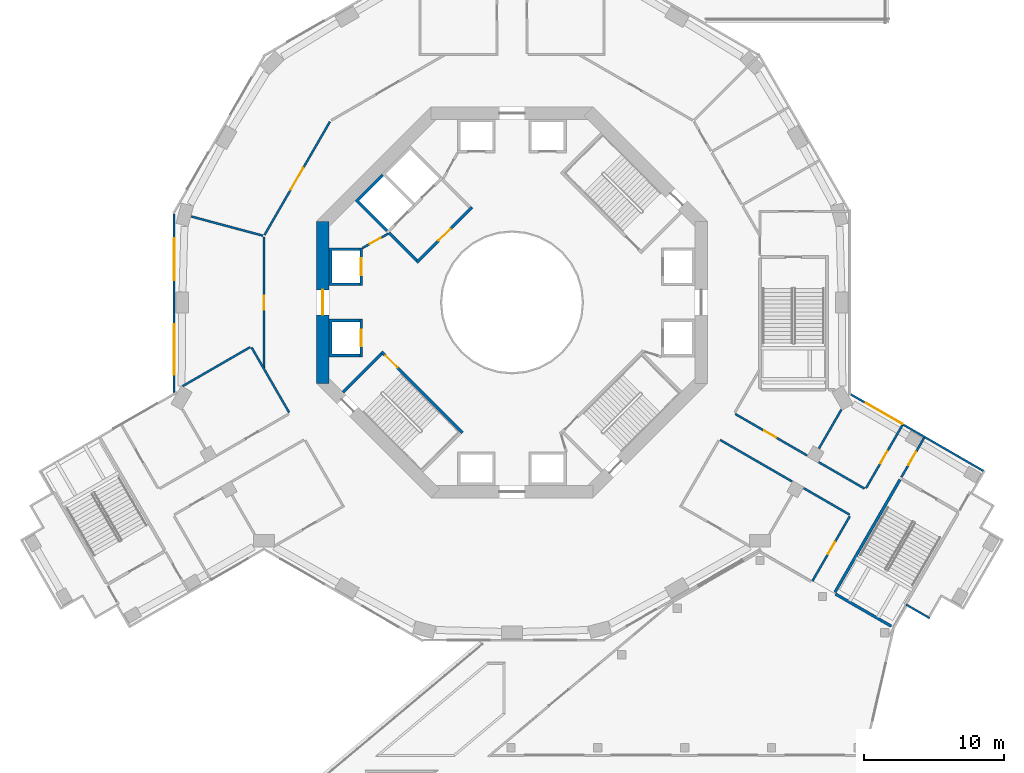
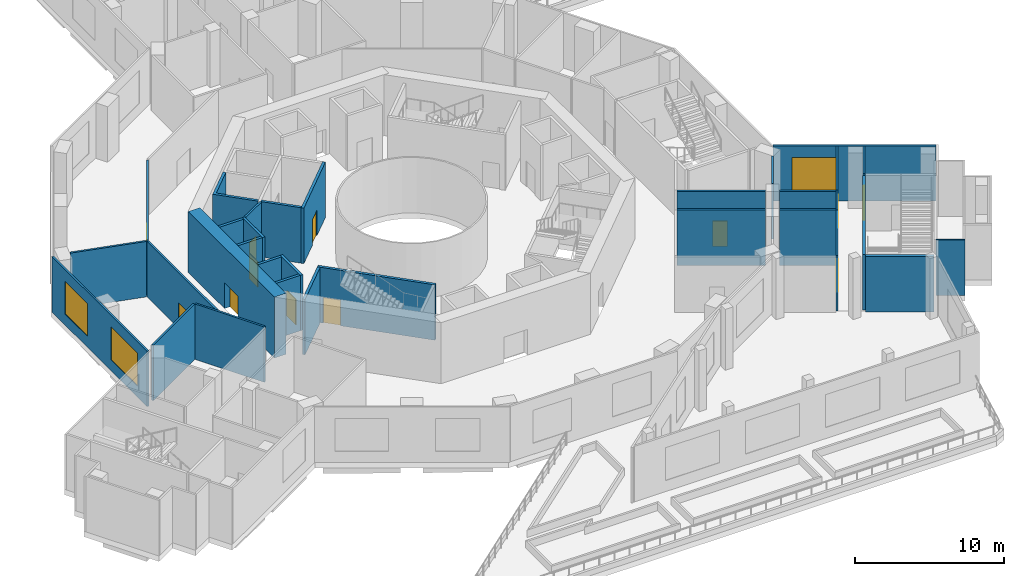
# One storey, part 5 of 24: 29 walls, 12 doors, 3 windows, 15 openings.
"""IFC4 building model written with IfcOpenShell, lengths in metres."""

from ifc_helpers import new_model, si_unit, direction, frame, frame_2d, origin, place, context, subcontext, project, spatial, polyline, rectangle, outline, extrude, material, layer, layer_set, type_object, element, fill, save


model = new_model("IFC4")

# Units and contexts
model_context = context("Model", 3, precision=1e-05, world=origin(), true_north=direction((0.0, 1.0)))
body_context = subcontext(model_context, "Body", "Model", "MODEL_VIEW")
ifc_project = project(units=[si_unit("LENGTHUNIT", "METRE"), si_unit("AREAUNIT", "SQUARE_METRE"), si_unit("VOLUMEUNIT", "CUBIC_METRE"), si_unit("PLANEANGLEUNIT", "RADIAN"), si_unit("MASSUNIT", "GRAM", prefix="KILO")], contexts=[model_context])

# Site, building, storey
site_placement = place(None, origin())
site = spatial("IfcSite", under=ifc_project, at=site_placement, CompositionType="ELEMENT")
building_placement = place(site_placement, origin())
building = spatial("IfcBuilding", under=site, at=building_placement, Name="Verdalira Terraces Hotel", CompositionType="ELEMENT")
storey_placement = place(building_placement, frame((0.0, 0.0, 14.0)))
storey = spatial("IfcBuildingStorey", under=building, at=storey_placement, Name="L02", CompositionType="ELEMENT", Elevation=14.0)

# Wall
ifc_material_1 = material(Name="Concrete C50", Category="concrete")
ifc_layer_1 = layer(ifc_material_1, 0.199951171875)
ifc_layer_set_1 = layer_set([ifc_layer_1], Name="Core RC wall 200 C50")
wall_type_1 = type_object("IfcWallType", Name="Core RC wall 200 C50", PredefinedType="SOLIDWALL", material=ifc_layer_set_1)
wall_1_placement = place(storey_placement, origin())
element("IfcWall", 1, at=wall_1_placement, inside=storey, type_object=wall_type_1, Name="L02 shaft wall W1", PredefinedType="SOLIDWALL", context=body_context, shape_type="SweptSolid", body=[
    extrude(outline(polyline([(-13.100098, 3.899902), (-10.899902, 3.899902), (-10.899902, 3.699951), (-12.899902, 3.699951), (-12.899902, 1.399902), (-10.899902, 1.399902), (-10.899902, 1.199951), (-13.100098, 1.199951), (-13.100098, 3.899902)])), origin(), (0.0, 0.0, 1.0), 4.550049),
])

# Wall, opening, door
wall_2_placement = place(storey_placement, frame((-10.800049, 1.199951, 0.0), z_axis=(0.0, 0.0, 1.0), x_axis=(0.0, 1.0, 0.0)))
wall_2 = element("IfcWall", 2, at=wall_2_placement, inside=storey, type_object=wall_type_1, Name="L02 shaft front wall W1", PredefinedType="SOLIDWALL", context=body_context, shape_type="SweptSolid", body=[
    extrude(rectangle(XDim=2.699951, YDim=0.199951, at=frame_2d((1.350098, 0.0))), origin(), (0.0, 0.0, 1.0), 4.550049),
])
opening_1_placement = place(wall_2_placement, frame((0.75, 0.0, 0.0)))
opening_1 = element("IfcOpeningElement", 3, at=opening_1_placement, cuts=wall_2, Name="Opening LD-L02-805", PredefinedType="OPENING", context=body_context, shape_type="SweptSolid", body=[
    extrude(rectangle(XDim=1.199951, YDim=2.100098, at=frame_2d((0.600098, 1.050049))), frame((0.0, 0.109863, 0.0), z_axis=(0.0, -1.0, 0.0), x_axis=(1.0, 0.0, 0.0)), (0.0, 0.0, 1.0), 0.219971),
])
ifc_material_2 = material(Name="Stainless steel", Category="steel")
door_type_1 = type_object("IfcDoorType", Name="Landing door 1200 x 2100", OperationType="NOTDEFINED", PredefinedType="DOOR", material=ifc_material_2)
door_1_placement = place(opening_1_placement, origin())
door_1 = element("IfcDoor", 4, at=door_1_placement, inside=storey, type_object=door_type_1, Name="Lift landing door LR5 L02", OperationType="DOUBLE_DOOR_SLIDING", OverallHeight=2.10009765625, OverallWidth=1.199951171875, PredefinedType="DOOR", context=body_context, shape_type="SweptSolid", body=[
    extrude(rectangle(XDim=1.199951, YDim=2.100098, at=frame_2d((0.600098, 1.050049))), frame((0.0, 0.024902, 0.0), z_axis=(0.0, -1.0, 0.0), x_axis=(1.0, 0.0, 0.0)), (0.0, 0.0, 1.0), 0.050049),
])
fill(opening_1, door_1)

# Wall
wall_3_placement = place(storey_placement, origin())
element("IfcWall", 5, at=wall_3_placement, inside=storey, type_object=wall_type_1, Name="L02 shaft wall W2", PredefinedType="SOLIDWALL", context=body_context, shape_type="SweptSolid", body=[
    extrude(outline(polyline([(-13.100098, -3.899902), (-13.100098, -1.199951), (-10.899902, -1.199951), (-10.899902, -1.399902), (-12.899902, -1.399902), (-12.899902, -3.699951), (-10.899902, -3.699951), (-10.899902, -3.899902), (-13.100098, -3.899902)])), origin(), (0.0, 0.0, 1.0), 4.550049),
])

# Wall, opening, door
wall_4_placement = place(storey_placement, frame((-10.800049, -1.199951, 0.0), z_axis=(0.0, 0.0, 1.0), x_axis=(0.0, -1.0, 0.0)))
wall_4 = element("IfcWall", 6, at=wall_4_placement, inside=storey, type_object=wall_type_1, Name="L02 shaft front wall W2", PredefinedType="SOLIDWALL", context=body_context, shape_type="SweptSolid", body=[
    extrude(rectangle(XDim=2.699951, YDim=0.199951, at=frame_2d((1.350098, 0.0))), origin(), (0.0, 0.0, 1.0), 4.550049),
])
opening_2_placement = place(wall_4_placement, frame((0.75, 0.0, 0.0)))
opening_2 = element("IfcOpeningElement", 7, at=opening_2_placement, cuts=wall_4, Name="Opening LD-L02-806", PredefinedType="OPENING", context=body_context, shape_type="SweptSolid", body=[
    extrude(rectangle(XDim=1.199951, YDim=2.100098, at=frame_2d((0.600098, 1.050049))), frame((0.0, 0.109863, 0.0), z_axis=(0.0, -1.0, 0.0), x_axis=(1.0, 0.0, 0.0)), (0.0, 0.0, 1.0), 0.219971),
])
door_2_placement = place(opening_2_placement, origin())
door_2 = element("IfcDoor", 8, at=door_2_placement, inside=storey, type_object=door_type_1, Name="Lift landing door LR6 L02", OperationType="DOUBLE_DOOR_SLIDING", OverallHeight=2.10009765625, OverallWidth=1.199951171875, PredefinedType="DOOR", context=body_context, shape_type="SweptSolid", body=[
    extrude(rectangle(XDim=1.199951, YDim=2.100098, at=frame_2d((0.600098, 1.050049))), frame((0.0, 0.024902, 0.0), z_axis=(0.0, -1.0, 0.0), x_axis=(1.0, 0.0, 0.0)), (0.0, 0.0, 1.0), 0.050049),
])
fill(opening_2, door_2)

# Wall
wall_5_placement = place(storey_placement, origin())
element("IfcWall", 9, at=wall_5_placement, inside=storey, type_object=wall_type_1, Name="L02 shaft wall F2", PredefinedType="SOLIDWALL", context=body_context, shape_type="SweptSolid", body=[
    extrude(outline(polyline([(-11.24292, 7.283203), (-9.33374, 9.192383), (-9.192383, 9.051025), (-10.960205, 7.283203), (-8.874268, 5.197266), (-9.015625, 5.055908), (-11.24292, 7.283203)])), origin(), (0.0, 0.0, 1.0), 4.550049),
])

# Wall, opening, door
wall_6_placement = place(storey_placement, frame((-3.5354, -9.33374, 0.0), z_axis=(0.0, 0.0, 1.0), x_axis=(-0.707106781, 0.707106781, 0.0)))
wall_6 = element("IfcWall", 10, at=wall_6_placement, inside=storey, type_object=wall_type_1, Name="L02 stair ST2 front wall", PredefinedType="SOLIDWALL", context=body_context, shape_type="SweptSolid", body=[
    extrude(rectangle(XDim=8.200195, YDim=0.199951, at=frame_2d((4.100098, 0.0))), origin(), (0.0, 0.0, 1.0), 4.550049),
])
opening_3_placement = place(wall_6_placement, frame((6.600098, 0.0, 0.0)))
opening_3 = element("IfcOpeningElement", 11, at=opening_3_placement, cuts=wall_6, Name="Opening L02-810", PredefinedType="OPENING", context=body_context, shape_type="SweptSolid", body=[
    extrude(rectangle(XDim=1.199951, YDim=2.100098, at=frame_2d((0.600098, 1.050049))), frame((0.0, 0.109863, 0.0), z_axis=(0.0, -1.0, 0.0), x_axis=(1.0, 0.0, 0.0)), (0.0, 0.0, 1.0), 0.219971),
])
ifc_material_3 = material(Name="Steel fire door", Category="steel")
door_type_2 = type_object("IfcDoorType", Name="Stair door 1200 x 2100", OperationType="NOTDEFINED", PredefinedType="DOOR", material=ifc_material_3)
door_3_placement = place(opening_3_placement, origin())
door_3 = element("IfcDoor", 12, at=door_3_placement, inside=storey, type_object=door_type_2, Name="Stair door ST2 L02", OperationType="SINGLE_SWING_RIGHT", OverallHeight=2.10009765625, OverallWidth=1.199951171875, PredefinedType="DOOR", context=body_context, shape_type="SweptSolid", body=[
    extrude(rectangle(XDim=1.199951, YDim=2.100098, at=frame_2d((0.600098, 1.050049))), frame((0.0, 0.024902, 0.0), z_axis=(0.0, -1.0, 0.0), x_axis=(1.0, 0.0, 0.0)), (0.0, 0.0, 1.0), 0.050049),
])
fill(opening_3, door_3)

# Wall
wall_7_placement = place(storey_placement, frame((-9.33374, -3.677002, 0.0), z_axis=(0.0, 0.0, 1.0), x_axis=(-0.707106781, -0.707106781, 0.0)))
element("IfcWall", 13, at=wall_7_placement, inside=storey, type_object=wall_type_1, Name="L02 stair ST2 end wall 1", PredefinedType="SOLIDWALL", context=body_context, shape_type="SweptSolid", body=[
    extrude(rectangle(XDim=3.900146, YDim=0.199951, at=frame_2d((1.950195, 0.0))), origin(), (0.0, 0.0, 1.0), 4.550049),
])

# Wall, opening, door
wall_8_placement = place(storey_placement, frame((-2.86377, 6.823486, 0.0), z_axis=(0.0, 0.0, 1.0), x_axis=(-0.707106781, -0.707106781, 0.0)))
wall_8 = element("IfcWall", 14, at=wall_8_placement, inside=storey, type_object=wall_type_1, Name="L02 fire lobby wall", PredefinedType="SOLIDWALL", context=body_context, shape_type="SweptSolid", body=[
    extrude(rectangle(XDim=5.599854, YDim=0.199951, at=frame_2d((2.799805, 0.0))), origin(), (0.0, 0.0, 1.0), 4.550049),
])
opening_4_placement = place(wall_8_placement, frame((2.199951, 0.0, 0.0)))
opening_4 = element("IfcOpeningElement", 15, at=opening_4_placement, cuts=wall_8, Name="Opening L02-819", PredefinedType="OPENING", context=body_context, shape_type="SweptSolid", body=[
    extrude(rectangle(XDim=1.199951, YDim=2.100098, at=frame_2d((0.600098, 1.050049))), frame((0.0, 0.109863, 0.0), z_axis=(0.0, -1.0, 0.0), x_axis=(1.0, 0.0, 0.0)), (0.0, 0.0, 1.0), 0.219971),
])
ifc_material_4 = material(Name="Steel fire door", Category="steel")
door_type_3 = type_object("IfcDoorType", Name="Lobby door 1200 x 2100", OperationType="NOTDEFINED", PredefinedType="DOOR", material=ifc_material_4)
door_4_placement = place(opening_4_placement, origin())
door_4 = element("IfcDoor", 16, at=door_4_placement, inside=storey, type_object=door_type_3, Name="Fire lobby door L02", OperationType="SINGLE_SWING_LEFT", OverallHeight=2.10009765625, OverallWidth=1.199951171875, PredefinedType="DOOR", context=body_context, shape_type="SweptSolid", body=[
    extrude(rectangle(XDim=1.199951, YDim=2.100098, at=frame_2d((0.600098, 1.050049))), frame((0.0, 0.024902, 0.0), z_axis=(0.0, -1.0, 0.0), x_axis=(1.0, 0.0, 0.0)), (0.0, 0.0, 1.0), 0.050049),
])
fill(opening_4, door_4)

# Wall
wall_9_placement = place(storey_placement, frame((-6.823486, 3.005127, 0.0), z_axis=(0.0, 0.0, 1.0), x_axis=(-0.707106781, 0.707106781, 0.0)))
element("IfcWall", 17, at=wall_9_placement, inside=storey, type_object=wall_type_1, Name="L02 fire lobby wall", PredefinedType="SOLIDWALL", context=body_context, shape_type="SweptSolid", body=[
    extrude(rectangle(XDim=2.800049, YDim=0.199951, at=frame_2d((1.399902, 0.0))), origin(), (0.0, 0.0, 1.0), 4.550049),
])

# Wall, opening, door
ifc_material_5 = material(Name="Gypsum board partition")
ifc_layer_2 = layer(ifc_material_5, 0.14990234375)
ifc_layer_set_2 = layer_set([ifc_layer_2], Name="Core partition 150 mm")
wall_type_2 = type_object("IfcWallType", Name="Core partition 150 mm", PredefinedType="PARTITIONING", material=ifc_layer_set_2)
wall_10_placement = place(storey_placement, frame((-8.874268, 4.914307, 0.0), z_axis=(0.0, 0.0, 1.0), x_axis=(-0.874129705, -0.485692555, 0.0)))
wall_10 = element("IfcWall", 18, at=wall_10_placement, inside=storey, type_object=wall_type_2, Name="Room partition L02", PredefinedType="PARTITIONING", context=body_context, shape_type="SweptSolid", body=[
    extrude(rectangle(XDim=2.088623, YDim=0.149902, at=frame_2d((1.044434, 0.0))), origin(), (0.0, 0.0, 1.0), 4.550049),
])
opening_5_placement = place(wall_10_placement, frame((0.594238, 0.0, 0.0)))
opening_5 = element("IfcOpeningElement", 19, at=opening_5_placement, cuts=wall_10, Name="Opening L02-821", PredefinedType="OPENING", context=body_context, shape_type="SweptSolid", body=[
    extrude(rectangle(XDim=0.899902, YDim=2.100098, at=frame_2d((0.449951, 1.050049))), frame((0.0, 0.084961, 0.0), z_axis=(0.0, -1.0, 0.0), x_axis=(1.0, 0.0, 0.0)), (0.0, 0.0, 1.0), 0.169922),
])
ifc_material_6 = material(Name="Steel fire door", Category="steel")
door_type_4 = type_object("IfcDoorType", Name="Core room door 900 x 2100", OperationType="NOTDEFINED", PredefinedType="DOOR", material=ifc_material_6)
door_5_placement = place(opening_5_placement, origin())
door_5 = element("IfcDoor", 20, at=door_5_placement, inside=storey, type_object=door_type_4, Name="Door L02 room3", OperationType="SINGLE_SWING_LEFT", OverallHeight=2.10009765625, OverallWidth=0.89990234375, PredefinedType="DOOR", context=body_context, shape_type="SweptSolid", body=[
    extrude(rectangle(XDim=0.899902, YDim=2.100098, at=frame_2d((0.449951, 1.050049))), frame((0.0, 0.024902, 0.0), z_axis=(0.0, -1.0, 0.0), x_axis=(1.0, 0.0, 0.0)), (0.0, 0.0, 1.0), 0.050049),
])
fill(opening_5, door_5)

ifc_material_7 = material(Name="Concrete C70", Category="concrete")
ifc_layer_3 = layer(ifc_material_7, 0.89990234375)
ifc_layer_set_3 = layer_set([ifc_layer_3], Name="Core wall 900 C70")
wall_type_3 = type_object("IfcWallType", Name="Core wall 900 C70", PredefinedType="SHEAR", material=ifc_layer_set_3)
wall_11_placement = place(storey_placement, frame((-13.550049, 5.799072, 0.0), z_axis=(0.0, 0.0, 1.0), x_axis=(0.0, -1.0, 0.0)))
wall_11 = element("IfcWall", 21, at=wall_11_placement, inside=storey, type_object=wall_type_3, Name="Core wall CW-L02-5", PredefinedType="SHEAR", context=body_context, shape_type="SweptSolid", body=[
    extrude(rectangle(XDim=11.598145, YDim=0.899902, at=frame_2d((5.799072, 0.0))), origin(), (0.0, 0.0, 1.0), 5.0),
])
opening_6_placement = place(wall_11_placement, frame((4.898926, 0.0, 0.0)))
opening_6 = element("IfcOpeningElement", 22, at=opening_6_placement, cuts=wall_11, Name="Opening L02-814", PredefinedType="OPENING", context=body_context, shape_type="SweptSolid", body=[
    extrude(rectangle(XDim=1.800049, YDim=2.100098, at=frame_2d((0.899902, 1.050049))), frame((0.0, 0.459961, 0.0), z_axis=(0.0, -1.0, 0.0), x_axis=(1.0, 0.0, 0.0)), (0.0, 0.0, 1.0), 0.919922),
])
ifc_material_8 = material(Name="Steel fire door", Category="steel")
door_type_5 = type_object("IfcDoorType", Name="Core entry door pair 1800 x 2100", OperationType="NOTDEFINED", PredefinedType="DOOR", material=ifc_material_8)
door_6_placement = place(opening_6_placement, origin())
door_6 = element("IfcDoor", 23, at=door_6_placement, inside=storey, type_object=door_type_5, Name="Core entry door L02 4", OperationType="DOUBLE_DOOR_SINGLE_SWING", OverallHeight=2.10009765625, OverallWidth=1.800048828125, PredefinedType="DOOR", context=body_context, shape_type="SweptSolid", body=[
    extrude(rectangle(XDim=1.800049, YDim=2.100098, at=frame_2d((0.899902, 1.050049))), frame((0.0, 0.024902, 0.0), z_axis=(0.0, -1.0, 0.0), x_axis=(1.0, 0.0, 0.0)), (0.0, 0.0, 1.0), 0.050049),
])
fill(opening_6, door_6)

# Walls
ifc_material_9 = material(Name="Gypsum board partition on steel stud", Category="steel")
ifc_layer_4 = layer(ifc_material_9, 0.14990234375)
ifc_layer_set_4 = layer_set([ifc_layer_4], Name="Fire-rated partition 150 mm")
wall_type_4 = type_object("IfcWallType", Name="Fire-rated partition 150 mm", PredefinedType="PARTITIONING", material=ifc_layer_set_4)
wall_12_placement = place(storey_placement, frame((-22.9646, 6.15332, 0.0), z_axis=(0.0, 0.0, 1.0), x_axis=(0.965919345, -0.258843233, 0.0)))
element("IfcWall", 24, at=wall_12_placement, inside=storey, type_object=wall_type_4, Name="Partition", PredefinedType="PARTITIONING", context=body_context, shape_type="SweptSolid", body=[
    extrude(rectangle(XDim=5.314941, YDim=0.149902, at=frame_2d((2.657471, 0.0))), origin(), (0.0, 0.0, 1.0), 4.550049),
])
wall_13_placement = place(storey_placement, frame((-18.744141, -3.200928, 0.0), z_axis=(0.0, 0.0, 1.0), x_axis=(-0.866027538, -0.499996304, 0.0)))
element("IfcWall", 25, at=wall_13_placement, inside=storey, type_object=wall_type_4, Name="Partition", PredefinedType="PARTITIONING", context=body_context, shape_type="SweptSolid", body=[
    extrude(rectangle(XDim=5.582031, YDim=0.149902, at=frame_2d((2.791016, 0.0))), origin(), (0.0, 0.0, 1.0), 4.550049),
])

# Wall, opening, door
wall_14_placement = place(storey_placement, frame((-17.758301, -4.68335, 0.0), z_axis=(0.0, 0.0, 1.0), x_axis=(0.0, 1.0, 0.0)))
wall_14 = element("IfcWall", 26, at=wall_14_placement, inside=storey, type_object=wall_type_4, Name="Partition", PredefinedType="PARTITIONING", context=body_context, shape_type="SweptSolid", body=[
    extrude(rectangle(XDim=9.366699, YDim=0.149902, at=frame_2d((4.68335, 0.0))), origin(), (0.0, 0.0, 1.0), 4.550049),
])
opening_7_placement = place(wall_14_placement, frame((4.149902, 0.0, 0.0)))
opening_7 = element("IfcOpeningElement", 27, at=opening_7_placement, cuts=wall_14, Name="Opening L02-D06", PredefinedType="OPENING", context=body_context, shape_type="SweptSolid", body=[
    extrude(rectangle(XDim=1.0, YDim=2.100098, at=frame_2d((0.5, 1.050049))), frame((0.0, 0.084961, 0.0), z_axis=(0.0, -1.0, 0.0), x_axis=(1.0, 0.0, 0.0)), (0.0, 0.0, 1.0), 0.169922),
])
ifc_material_10 = material(Name="Steel fire door", Category="steel")
door_type_6 = type_object("IfcDoorType", Name="Fire door 1000 x 2100", OperationType="SINGLE_SWING_LEFT", PredefinedType="DOOR", material=ifc_material_10)
door_7_placement = place(opening_7_placement, origin())
door_7 = element("IfcDoor", 28, at=door_7_placement, inside=storey, type_object=door_type_6, Name="Boardroom door", OperationType="SINGLE_SWING_RIGHT", OverallHeight=2.10009765625, OverallWidth=1.0, PredefinedType="DOOR", context=body_context, shape_type="SweptSolid", body=[
    extrude(rectangle(XDim=1.0, YDim=2.100098, at=frame_2d((0.5, 1.050049))), frame((0.0, 0.024902, 0.0), z_axis=(0.0, -1.0, 0.0), x_axis=(1.0, 0.0, 0.0)), (0.0, 0.0, 1.0), 0.050049),
])
fill(opening_7, door_7)

wall_15_placement = place(storey_placement, frame((-13.037598, 12.935059, 0.0), z_axis=(0.0, 0.0, 1.0), x_axis=(-0.499979668, -0.866037142, 0.0)))
wall_15 = element("IfcWall", 29, at=wall_15_placement, inside=storey, type_object=wall_type_4, Name="Partition", PredefinedType="PARTITIONING", context=body_context, shape_type="SweptSolid", body=[
    extrude(rectangle(XDim=9.366699, YDim=0.149902, at=frame_2d((4.68335, 0.0))), origin(), (0.0, 0.0, 1.0), 4.550049),
])
opening_8_placement = place(wall_15_placement, frame((3.81665, 0.0, 0.0)))
opening_8 = element("IfcOpeningElement", 30, at=opening_8_placement, cuts=wall_15, Name="Opening L02-D07", PredefinedType="OPENING", context=body_context, shape_type="SweptSolid", body=[
    extrude(rectangle(XDim=1.800049, YDim=2.100098, at=frame_2d((0.899902, 1.050049))), frame((0.0, 0.084961, 0.0), z_axis=(0.0, -1.0, 0.0), x_axis=(1.0, 0.0, 0.0)), (0.0, 0.0, 1.0), 0.169922),
])
ifc_material_11 = material(Name="Steel fire door", Category="steel")
door_type_7 = type_object("IfcDoorType", Name="Fire door pair 1800 x 2100", OperationType="DOUBLE_DOOR_SINGLE_SWING", PredefinedType="DOOR", material=ifc_material_11)
door_8_placement = place(opening_8_placement, origin())
door_8 = element("IfcDoor", 31, at=door_8_placement, inside=storey, type_object=door_type_7, Name="Ring corridor door", OperationType="DOUBLE_DOOR_SINGLE_SWING", OverallHeight=2.10009765625, OverallWidth=1.800048828125, PredefinedType="DOOR", context=body_context, shape_type="SweptSolid", body=[
    extrude(rectangle(XDim=1.800049, YDim=2.100098, at=frame_2d((0.899902, 1.050049))), frame((0.0, 0.024902, 0.0), z_axis=(0.0, -1.0, 0.0), x_axis=(1.0, 0.0, 0.0)), (0.0, 0.0, 1.0), 0.050049),
])
fill(opening_8, door_8)

# Walls
wall_16_placement = place(storey_placement, frame((-15.954102, -7.883301, 0.0), z_axis=(0.0, 0.0, 1.0), x_axis=(-0.4999885, 0.866032043, 0.0)))
element("IfcWall", 32, at=wall_16_placement, inside=storey, type_object=wall_type_4, Name="Partition", PredefinedType="PARTITIONING", context=body_context, shape_type="SweptSolid", body=[
    extrude(rectangle(XDim=5.375244, YDim=0.149902, at=frame_2d((2.6875, 0.0))), origin(), (0.0, 0.0, 1.0), 4.550049),
])
wall_17_placement = place(storey_placement, frame((14.906494, -9.847656, 0.0), z_axis=(0.0, 0.0, 1.0), x_axis=(0.866038559, -0.499977214, 0.0)))
element("IfcWall", 33, at=wall_17_placement, inside=storey, type_object=wall_type_4, Name="Partition", PredefinedType="PARTITIONING", context=body_context, shape_type="SweptSolid", body=[
    extrude(rectangle(XDim=5.945068, YDim=0.149902, at=frame_2d((2.972656, 0.0))), origin(), (0.0, 0.0, 1.0), 4.550049),
])
wall_18_placement = place(storey_placement, frame((20.886475, -13.300049, 0.0), z_axis=(0.0, 0.0, 1.0), x_axis=(0.866012734, -0.500021944, 0.0)))
element("IfcWall", 34, at=wall_18_placement, inside=storey, type_object=wall_type_4, Name="Partition", PredefinedType="PARTITIONING", context=body_context, shape_type="SweptSolid", body=[
    extrude(rectangle(XDim=3.786865, YDim=0.149902, at=frame_2d((1.893555, 0.0))), origin(), (0.0, 0.0, 1.0), 4.550049),
])
wall_19_placement = place(storey_placement, frame((21.974854, -10.458496, 0.0), z_axis=(0.0, 0.0, 1.0), x_axis=(0.500027049, 0.866009787, 0.0)))
element("IfcWall", 35, at=wall_19_placement, inside=storey, type_object=wall_type_4, Name="Partition", PredefinedType="PARTITIONING", context=body_context, shape_type="SweptSolid", body=[
    extrude(rectangle(XDim=3.2146, YDim=0.149902, at=frame_2d((1.607422, 0.0))), origin(), (0.0, 0.0, 1.0), 4.550049),
])

# Wall, opening, door
wall_20_placement = place(storey_placement, frame((21.505859, -19.950684, 0.0), z_axis=(0.0, 0.0, 1.0), x_axis=(0.500008168, 0.866020688, 0.0)))
wall_20 = element("IfcWall", 36, at=wall_20_placement, inside=storey, type_object=wall_type_4, Name="Partition", PredefinedType="PARTITIONING", context=body_context, shape_type="SweptSolid", body=[
    extrude(rectangle(XDim=5.375, YDim=0.149902, at=frame_2d((2.6875, 0.0))), origin(), (0.0, 0.0, 1.0), 4.550049),
])
opening_9_placement = place(wall_20_placement, frame((2.225098, 0.0, 0.0)))
opening_9 = element("IfcOpeningElement", 37, at=opening_9_placement, cuts=wall_20, Name="Opening L02-D26", PredefinedType="OPENING", context=body_context, shape_type="SweptSolid", body=[
    extrude(rectangle(XDim=1.0, YDim=2.100098, at=frame_2d((0.5, 1.050049))), frame((0.0, 0.084961, 0.0), z_axis=(0.0, -1.0, 0.0), x_axis=(1.0, 0.0, 0.0)), (0.0, 0.0, 1.0), 0.169922),
])
door_9_placement = place(opening_9_placement, origin())
door_9 = element("IfcDoor", 38, at=door_9_placement, inside=storey, type_object=door_type_6, Name="Meeting room 214 door", OperationType="SINGLE_SWING_RIGHT", OverallHeight=2.10009765625, OverallWidth=1.0, PredefinedType="DOOR", context=body_context, shape_type="SweptSolid", body=[
    extrude(rectangle(XDim=1.0, YDim=2.100098, at=frame_2d((0.5, 1.050049))), frame((0.0, 0.024902, 0.0), z_axis=(0.0, -1.0, 0.0), x_axis=(1.0, 0.0, 0.0)), (0.0, 0.0, 1.0), 0.050049),
])
fill(opening_9, door_9)

wall_21_placement = place(storey_placement, frame((15.981689, -7.985596, 0.0), z_axis=(0.0, 0.0, 1.0), x_axis=(0.86601051, -0.500025795, 0.0)))
wall_21 = element("IfcWall", 39, at=wall_21_placement, inside=storey, type_object=wall_type_4, Name="Partition", PredefinedType="PARTITIONING", context=body_context, shape_type="SweptSolid", body=[
    extrude(rectangle(XDim=5.945068, YDim=0.149902, at=frame_2d((2.972656, 0.0))), origin(), (0.0, 0.0, 1.0), 4.550049),
])
opening_10_placement = place(wall_21_placement, frame((2.39502, 0.0, 0.0)))
opening_10 = element("IfcOpeningElement", 40, at=opening_10_placement, cuts=wall_21, Name="Opening L02-D29", PredefinedType="OPENING", context=body_context, shape_type="SweptSolid", body=[
    extrude(rectangle(XDim=1.0, YDim=2.100098, at=frame_2d((0.5, 1.050049))), frame((0.0, 0.084961, 0.0), z_axis=(0.0, -1.0, 0.0), x_axis=(1.0, 0.0, 0.0)), (0.0, 0.0, 1.0), 0.169922),
])
door_10_placement = place(opening_10_placement, origin())
door_10 = element("IfcDoor", 41, at=door_10_placement, inside=storey, type_object=door_type_6, Name="Meeting room 211 door", OperationType="SINGLE_SWING_LEFT", OverallHeight=2.10009765625, OverallWidth=1.0, PredefinedType="DOOR", context=body_context, shape_type="SweptSolid", body=[
    extrude(rectangle(XDim=1.0, YDim=2.100098, at=frame_2d((0.5, 1.050049))), frame((0.0, 0.024902, 0.0), z_axis=(0.0, -1.0, 0.0), x_axis=(1.0, 0.0, 0.0)), (0.0, 0.0, 1.0), 0.050049),
])
fill(opening_10, door_10)

# Wall
wall_22_placement = place(storey_placement, frame((25.240967, -13.331543, 0.0), z_axis=(0.0, 0.0, 1.0), x_axis=(-0.866040651, 0.499973591, 0.0)))
element("IfcWall", 42, at=wall_22_placement, inside=storey, type_object=wall_type_4, Name="Partition", PredefinedType="PARTITIONING", context=body_context, shape_type="SweptSolid", body=[
    extrude(rectangle(XDim=3.786865, YDim=0.149902, at=frame_2d((1.893555, 0.0))), origin(), (0.0, 0.0, 1.0), 4.550049),
])

# Wall, opening, door
wall_23_placement = place(storey_placement, frame((25.343262, -13.304199, 0.0), z_axis=(0.0, 0.0, 1.0), x_axis=(0.499979347, 0.866037328, 0.0)))
wall_23 = element("IfcWall", 43, at=wall_23_placement, inside=storey, type_object=wall_type_4, Name="Partition", PredefinedType="PARTITIONING", context=body_context, shape_type="SweptSolid", body=[
    extrude(rectangle(XDim=5.210205, YDim=0.149902, at=frame_2d((2.60498, 0.0))), origin(), (0.0, 0.0, 1.0), 4.550049),
])
opening_11_placement = place(wall_23_placement, frame((2.060059, 0.0, 0.0)))
opening_11 = element("IfcOpeningElement", 44, at=opening_11_placement, cuts=wall_23, Name="Opening L02-D30", PredefinedType="OPENING", context=body_context, shape_type="SweptSolid", body=[
    extrude(rectangle(XDim=1.0, YDim=2.100098, at=frame_2d((0.5, 1.050049))), frame((0.0, 0.084961, 0.0), z_axis=(0.0, -1.0, 0.0), x_axis=(1.0, 0.0, 0.0)), (0.0, 0.0, 1.0), 0.169922),
])
door_11_placement = place(opening_11_placement, origin())
door_11 = element("IfcDoor", 45, at=door_11_placement, inside=storey, type_object=door_type_6, Name="Meeting room 212 door", OperationType="SINGLE_SWING_RIGHT", OverallHeight=2.10009765625, OverallWidth=1.0, PredefinedType="DOOR", context=body_context, shape_type="SweptSolid", body=[
    extrude(rectangle(XDim=1.0, YDim=2.100098, at=frame_2d((0.5, 1.050049))), frame((0.0, 0.024902, 0.0), z_axis=(0.0, -1.0, 0.0), x_axis=(1.0, 0.0, 0.0)), (0.0, 0.0, 1.0), 0.050049),
])
fill(opening_11, door_11)

wall_24_placement = place(storey_placement, frame((27.877197, -12.515381, 0.0), z_axis=(0.0, 0.0, 1.0), x_axis=(0.499973122, 0.866040921, 0.0)))
wall_24 = element("IfcWall", 46, at=wall_24_placement, inside=storey, type_object=wall_type_4, Name="Partition", PredefinedType="PARTITIONING", context=body_context, shape_type="SweptSolid", body=[
    extrude(rectangle(XDim=3.26001, YDim=0.149902, at=frame_2d((1.629883, 0.0))), origin(), (0.0, 0.0, 1.0), 4.550049),
])
opening_12_placement = place(wall_24_placement, frame((1.010254, 0.0, 0.0)))
opening_12 = element("IfcOpeningElement", 47, at=opening_12_placement, cuts=wall_24, Name="Opening L02-D31", PredefinedType="OPENING", context=body_context, shape_type="SweptSolid", body=[
    extrude(rectangle(XDim=1.100098, YDim=2.100098, at=frame_2d((0.550049, 1.050049))), frame((0.0, 0.084961, 0.0), z_axis=(0.0, -1.0, 0.0), x_axis=(1.0, 0.0, 0.0)), (0.0, 0.0, 1.0), 0.169922),
])
ifc_material_12 = material(Name="Steel fire door", Category="steel")
door_type_8 = type_object("IfcDoorType", Name="Stair door 1100 x 2100", OperationType="SINGLE_SWING_LEFT", PredefinedType="DOOR", material=ifc_material_12)
door_12_placement = place(opening_12_placement, origin())
door_12 = element("IfcDoor", 48, at=door_12_placement, inside=storey, type_object=door_type_8, Name="Stair door Stair approach corridor", OperationType="SINGLE_SWING_LEFT", OverallHeight=2.10009765625, OverallWidth=1.10009765625, PredefinedType="DOOR", context=body_context, shape_type="SweptSolid", body=[
    extrude(rectangle(XDim=1.100098, YDim=2.100098, at=frame_2d((0.550049, 1.050049))), frame((0.0, 0.024902, 0.0), z_axis=(0.0, -1.0, 0.0), x_axis=(1.0, 0.0, 0.0)), (0.0, 0.0, 1.0), 0.050049),
])
fill(opening_12, door_12)

# Walls
ifc_material_13 = material(Name="Concrete C50", Category="concrete")
ifc_layer_5 = layer(ifc_material_13, 0.199951171875)
ifc_layer_set_5 = layer_set([ifc_layer_5], Name="Stair enclosure wall 200 mm")
wall_type_5 = type_object("IfcWallType", Name="Stair enclosure wall 200 mm", PredefinedType="SOLIDWALL", material=ifc_layer_set_5)
wall_25_placement = place(storey_placement, frame((23.163818, -20.87915, 0.0), z_axis=(0.0, 0.0, 1.0), x_axis=(0.866030039, -0.499991972, 0.0)))
element("IfcWall", 49, at=wall_25_placement, inside=storey, type_object=wall_type_5, Name="Stair enclosure wall", PredefinedType="SOLIDWALL", context=body_context, shape_type="SweptSolid", body=[
    extrude(rectangle(XDim=4.600098, YDim=0.199951, at=frame_2d((2.300049, 0.0))), origin(), (0.0, 0.0, 1.0), 4.550049),
])
wall_26_placement = place(storey_placement, frame((27.777344, -12.688477, 0.0), z_axis=(0.0, 0.0, 1.0), x_axis=(-0.500004225, -0.866022964, 0.0)))
element("IfcWall", 50, at=wall_26_placement, inside=storey, type_object=wall_type_5, Name="Stair enclosure wall", PredefinedType="SOLIDWALL", context=body_context, shape_type="SweptSolid", body=[
    extrude(rectangle(XDim=9.300293, YDim=0.199951, at=frame_2d((4.650146, 0.0))), origin(), (0.0, 0.0, 1.0), 4.550049),
])
ifc_material_14 = material(Name="Concrete C40", Category="concrete")
ifc_layer_6 = layer(ifc_material_14, 0.139892578125)
ifc_layer_set_6 = layer_set([ifc_layer_6], Name="Terracotta clad concrete wall C40 140 mm")
wall_type_6 = type_object("IfcWallType", Name="Terracotta clad concrete wall C40 140 mm", PredefinedType="SOLIDWALL", material=ifc_layer_set_6)
wall_27_placement = place(storey_placement, frame((28.221191, -21.639648, 0.0), z_axis=(0.0, 0.0, 1.0), x_axis=(0.866011627, -0.500023862, 0.0)))
element("IfcWall", 51, at=wall_27_placement, inside=storey, type_object=wall_type_6, Name="Podium facade wall", PredefinedType="SOLIDWALL", context=body_context, shape_type="SweptSolid", body=[
    extrude(rectangle(XDim=1.939941, YDim=0.139893, at=frame_2d((0.969971, 0.0))), origin(), (0.0, 0.0, 1.0), 4.550049),
])

# Wall, opening, window
ifc_material_15 = material(Name="Terracotta cladding on steel stud backup", Category="masonry")
ifc_layer_7 = layer(ifc_material_15, 0.139892578125)
ifc_layer_set_7 = layer_set([ifc_layer_7], Name="Terracotta clad wall 140 mm")
wall_type_7 = type_object("IfcWallType", Name="Terracotta clad wall 140 mm", PredefinedType="SOLIDWALL", material=ifc_layer_set_7)
wall_28_placement = place(storey_placement, frame((33.751221, -12.061523, 0.0), z_axis=(0.0, 0.0, 1.0), x_axis=(-0.86602647, 0.499998154, 0.0)))
wall_28 = element("IfcWall", 52, at=wall_28_placement, inside=storey, type_object=wall_type_7, Name="Podium facade wall", PredefinedType="SOLIDWALL", context=body_context, shape_type="SweptSolid", body=[
    extrude(rectangle(XDim=10.961426, YDim=0.139893, at=frame_2d((5.480713, 0.0))), origin(), (0.0, 0.0, 1.0), 4.550049),
])
opening_13_placement = place(wall_28_placement, frame((6.702148, 0.0, 0.899902)))
opening_13 = element("IfcOpeningElement", 53, at=opening_13_placement, cuts=wall_28, Name="Opening WP", PredefinedType="OPENING", context=body_context, shape_type="SweptSolid", body=[
    extrude(rectangle(XDim=3.0, YDim=2.699951, at=frame_2d((1.5, 1.350098))), frame((0.0, 0.079834, 0.0), z_axis=(0.0, -1.0, 0.0), x_axis=(1.0, 0.0, 0.0)), (0.0, 0.0, 1.0), 0.159912),
])
ifc_material_16 = material(Name="Clear double glazing in aluminium frame", Category="aluminium")
window_type_1 = type_object("IfcWindowType", Name="Podium window 3000 x 2700", PartitioningType="SINGLE_PANEL", PredefinedType="WINDOW", material=ifc_material_16)
window_1_placement = place(opening_13_placement, origin())
window_1 = element("IfcWindow", 54, at=window_1_placement, inside=storey, type_object=window_type_1, Name="Podium window", OverallHeight=2.699951171875, OverallWidth=3.0, PartitioningType="SINGLE_PANEL", PredefinedType="WINDOW", context=body_context, shape_type="SweptSolid", body=[
    extrude(rectangle(XDim=3.0, YDim=2.699951, at=frame_2d((1.5, 1.350098))), frame((0.0, 0.030029, 0.0), z_axis=(0.0, -1.0, 0.0), x_axis=(1.0, 0.0, 0.0)), (0.0, 0.0, 1.0), 0.060059),
])
fill(opening_13, window_1)

# Wall, openings, windows
wall_29_placement = place(storey_placement, frame((-24.188232, 6.341309, 0.0), z_axis=(0.0, 0.0, 1.0), x_axis=(0.0, -1.0, 0.0)))
wall_29 = element("IfcWall", 55, at=wall_29_placement, inside=storey, type_object=wall_type_7, Name="Podium facade wall", PredefinedType="SOLIDWALL", context=body_context, shape_type="SweptSolid", body=[
    extrude(rectangle(XDim=12.801025, YDim=0.139893, at=frame_2d((6.400391, 0.0))), origin(), (0.0, 0.0, 1.0), 4.550049),
])
opening_14_placement = place(wall_29_placement, frame((1.747803, 0.0, 0.899902)))
opening_14 = element("IfcOpeningElement", 56, at=opening_14_placement, cuts=wall_29, Name="Opening WP", PredefinedType="OPENING", context=body_context, shape_type="SweptSolid", body=[
    extrude(rectangle(XDim=3.0, YDim=2.699951, at=frame_2d((1.5, 1.350098))), frame((0.0, 0.079834, 0.0), z_axis=(0.0, -1.0, 0.0), x_axis=(1.0, 0.0, 0.0)), (0.0, 0.0, 1.0), 0.159912),
])
opening_15_placement = place(wall_29_placement, frame((7.9021, 0.0, 0.899902)))
opening_15 = element("IfcOpeningElement", 57, at=opening_15_placement, cuts=wall_29, Name="Opening WP", PredefinedType="OPENING", context=body_context, shape_type="SweptSolid", body=[
    extrude(rectangle(XDim=3.600098, YDim=2.699951, at=frame_2d((1.800049, 1.350098))), frame((0.0, 0.079834, 0.0), z_axis=(0.0, -1.0, 0.0), x_axis=(1.0, 0.0, 0.0)), (0.0, 0.0, 1.0), 0.159912),
])
window_2_placement = place(opening_14_placement, origin())
window_2 = element("IfcWindow", 58, at=window_2_placement, inside=storey, type_object=window_type_1, Name="Podium window", OverallHeight=2.699951171875, OverallWidth=3.0, PartitioningType="SINGLE_PANEL", PredefinedType="WINDOW", context=body_context, shape_type="SweptSolid", body=[
    extrude(rectangle(XDim=3.0, YDim=2.699951, at=frame_2d((1.5, 1.350098))), frame((0.0, 0.030029, 0.0), z_axis=(0.0, -1.0, 0.0), x_axis=(1.0, 0.0, 0.0)), (0.0, 0.0, 1.0), 0.060059),
])
fill(opening_14, window_2)
ifc_material_17 = material(Name="Clear double glazing in aluminium frame", Category="aluminium")
window_type_2 = type_object("IfcWindowType", Name="Podium window 3600 x 2700", PartitioningType="SINGLE_PANEL", PredefinedType="WINDOW", material=ifc_material_17)
window_3_placement = place(opening_15_placement, origin())
window_3 = element("IfcWindow", 59, at=window_3_placement, inside=storey, type_object=window_type_2, Name="Podium window", OverallHeight=2.699951171875, OverallWidth=3.60009765625, PartitioningType="SINGLE_PANEL", PredefinedType="WINDOW", context=body_context, shape_type="SweptSolid", body=[
    extrude(rectangle(XDim=3.600098, YDim=2.699951, at=frame_2d((1.800049, 1.350098))), frame((0.0, 0.030029, 0.0), z_axis=(0.0, -1.0, 0.0), x_axis=(1.0, 0.0, 0.0)), (0.0, 0.0, 1.0), 0.060059),
])
fill(opening_15, window_3)

save(model, "model.ifc")
